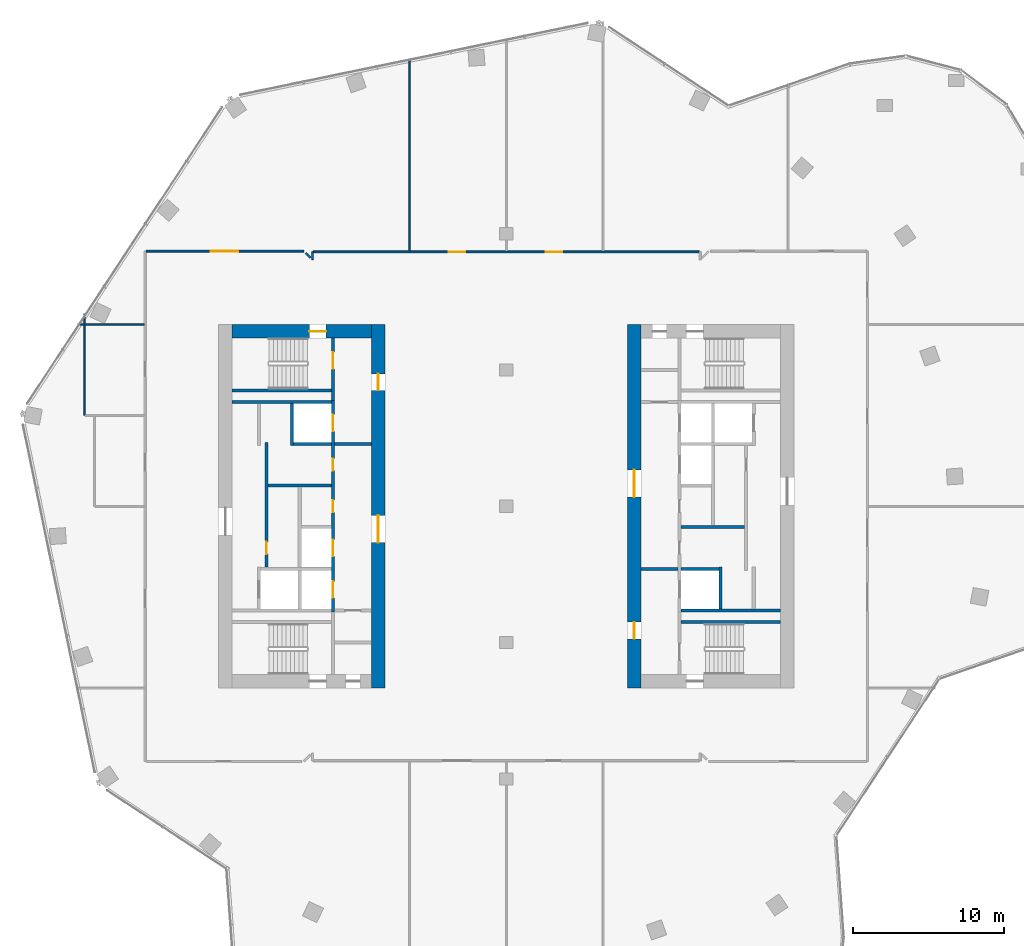
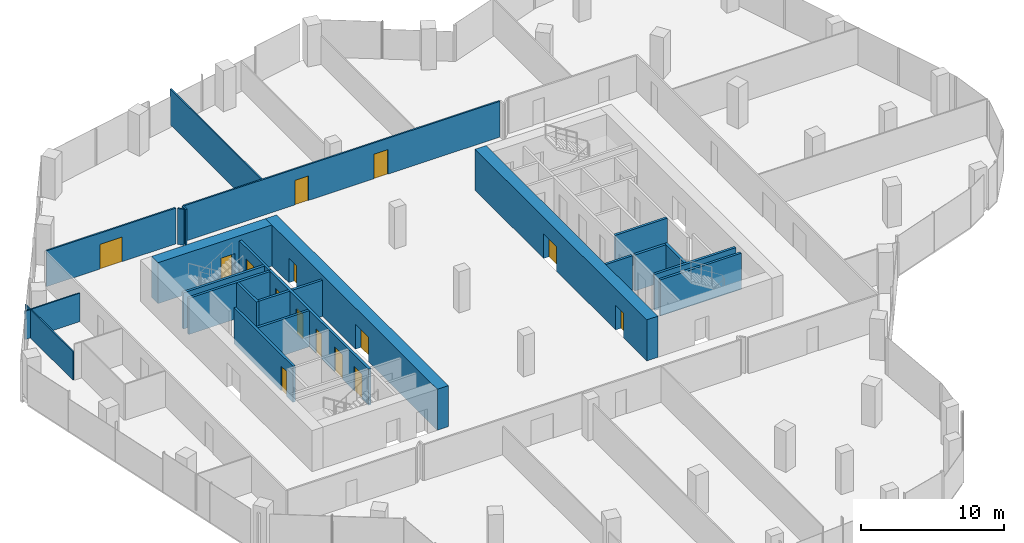
# One storey, part 19 of 24: 25 walls, 15 doors, 15 openings.
"""IFC4 building model written with IfcOpenShell, lengths in metres."""

from ifc_helpers import new_model, si_unit, direction, frame, frame_2d, origin, place, context, subcontext, project, spatial, rectangle, extrude, material, layer, layer_set, type_object, element, fill, save


model = new_model("IFC4")

# Units and contexts
model_context = context("Model", 3, precision=1e-05, world=origin(), true_north=direction((0.0, 1.0)))
body_context = subcontext(model_context, "Body", "Model", "MODEL_VIEW")
ifc_project = project(units=[si_unit("LENGTHUNIT", "METRE"), si_unit("AREAUNIT", "SQUARE_METRE"), si_unit("VOLUMEUNIT", "CUBIC_METRE"), si_unit("PLANEANGLEUNIT", "RADIAN"), si_unit("MASSUNIT", "GRAM", prefix="KILO")], contexts=[model_context])

# Site, building, storey
site_placement = place(None, origin())
site = spatial("IfcSite", under=ifc_project, at=site_placement, CompositionType="ELEMENT")
building_placement = place(site_placement, origin())
building = spatial("IfcBuilding", under=site, at=building_placement, Name="Orlundy Tower", CompositionType="ELEMENT")
storey_placement = place(building_placement, frame((0.0, 0.0, 246.0)))
storey = spatial("IfcBuildingStorey", under=building, at=storey_placement, Name="L65", CompositionType="ELEMENT", Elevation=246.0)

# Wall, opening, door
ifc_material_1 = material(Name="Concrete C60/75", Category="concrete")
ifc_layer_1 = layer(ifc_material_1, 0.89990234375)
ifc_layer_set_1 = layer_set([ifc_layer_1], Name="CORE WALL 900 C60/75")
wall_type_1 = type_object("IfcWallType", Name="CORE WALL 900 C60/75", PredefinedType="SHEAR", material=ifc_layer_set_1)
wall_1_placement = place(storey_placement, frame((-18.10009765625, 11.550048828125, 0.0), z_axis=(0.0, 0.0, 1.0), x_axis=(1.0, 0.0, 0.0)))
wall_1 = element("IfcWall", 1, at=wall_1_placement, inside=storey, type_object=wall_type_1, Name="Core wall W-N L65", PredefinedType="SHEAR", context=body_context, shape_type="SweptSolid", body=[
    extrude(rectangle(XDim=9.2001953125, YDim=0.89990234375, at=frame_2d((4.60009765625, 0.0))), origin(), (0.0, 0.0, 1.0), 3.5),
])
opening_1_placement = place(wall_1_placement, frame((5.10009765625, 0.0, 0.0)))
opening_1 = element("IfcOpeningElement", 2, at=opening_1_placement, cuts=wall_1, Name="Opening 49011", PredefinedType="OPENING", context=body_context, shape_type="SweptSolid", body=[
    extrude(rectangle(XDim=1.10009765625, YDim=2.10009765625, at=frame_2d((0.550048828125, 1.050048828125))), frame((0.0, 0.4599609375, 0.0), z_axis=(0.0, -1.0, 0.0), x_axis=(1.0, 0.0, 0.0)), (0.0, 0.0, 1.0), 0.919921875),
])
ifc_material_2 = material(Name="Steel door set", Category="steel")
door_type_1 = type_object("IfcDoorType", Name="Stair Door 1100x2100", OperationType="SINGLE_SWING_LEFT", PredefinedType="DOOR", material=ifc_material_2)
door_1_placement = place(opening_1_placement, origin())
door_1 = element("IfcDoor", 3, at=door_1_placement, inside=storey, type_object=door_type_1, Name="Stair door 49011", OperationType="SINGLE_SWING_RIGHT", OverallHeight=2.10009765625, OverallWidth=1.10009765625, PredefinedType="DOOR", context=body_context, shape_type="SweptSolid", body=[
    extrude(rectangle(XDim=1.10009765625, YDim=2.10009765625, at=frame_2d((0.550048828125, 1.050048828125))), frame((0.0, 0.02490234375, 0.0), z_axis=(0.0, -1.0, 0.0), x_axis=(1.0, 0.0, 0.0)), (0.0, 0.0, 1.0), 0.050048828125),
])
fill(opening_1, door_1)

# Wall, openings, doors
wall_2_placement = place(storey_placement, frame((-8.449951171875, -12.0, 0.0), z_axis=(0.0, 0.0, 1.0), x_axis=(0.0, 1.0, 0.0)))
wall_2 = element("IfcWall", 4, at=wall_2_placement, inside=storey, type_object=wall_type_1, Name="Core wall W-E L65", PredefinedType="SHEAR", context=body_context, shape_type="SweptSolid", body=[
    extrude(rectangle(XDim=24.0, YDim=0.89990234375, at=frame_2d((12.0, 0.0))), origin(), (0.0, 0.0, 1.0), 3.5),
])
opening_2_placement = place(wall_2_placement, frame((9.60009765625, 0.0, 0.0)))
opening_2 = element("IfcOpeningElement", 5, at=opening_2_placement, cuts=wall_2, Name="Opening 49008", PredefinedType="OPENING", context=body_context, shape_type="SweptSolid", body=[
    extrude(rectangle(XDim=1.800048828125, YDim=2.10009765625, at=frame_2d((0.89990234375, 1.050048828125))), frame((0.0, 0.4599609375, 0.0), z_axis=(0.0, -1.0, 0.0), x_axis=(1.0, 0.0, 0.0)), (0.0, 0.0, 1.0), 0.919921875),
])
opening_3_placement = place(wall_2_placement, frame((19.64990234375, 0.0, 0.0)))
opening_3 = element("IfcOpeningElement", 6, at=opening_3_placement, cuts=wall_2, Name="Opening 49010", PredefinedType="OPENING", context=body_context, shape_type="SweptSolid", body=[
    extrude(rectangle(XDim=1.10009765625, YDim=2.10009765625, at=frame_2d((0.550048828125, 1.050048828125))), frame((0.0, 0.4599609375, 0.0), z_axis=(0.0, -1.0, 0.0), x_axis=(1.0, 0.0, 0.0)), (0.0, 0.0, 1.0), 0.919921875),
])
ifc_material_3 = material(Name="Steel door set", Category="steel")
door_type_2 = type_object("IfcDoorType", Name="Fire-fighting Lobby Door 1100x2100", OperationType="SINGLE_SWING_LEFT", PredefinedType="DOOR", material=ifc_material_3)
door_2_placement = place(opening_3_placement, origin())
door_2 = element("IfcDoor", 7, at=door_2_placement, inside=storey, type_object=door_type_2, Name="Fire-fighting lobby door 49010", OperationType="SINGLE_SWING_RIGHT", OverallHeight=2.10009765625, OverallWidth=1.10009765625, PredefinedType="DOOR", context=body_context, shape_type="SweptSolid", body=[
    extrude(rectangle(XDim=1.10009765625, YDim=2.10009765625, at=frame_2d((0.550048828125, 1.050048828125))), frame((0.0, 0.02490234375, 0.0), z_axis=(0.0, -1.0, 0.0), x_axis=(1.0, 0.0, 0.0)), (0.0, 0.0, 1.0), 0.050048828125),
])
fill(opening_3, door_2)
ifc_material_4 = material(Name="Timber door set", Category="wood")
door_type_3 = type_object("IfcDoorType", Name="Lobby Door 1800x2100", OperationType="DOUBLE_DOOR_DOUBLE_SWING", PredefinedType="DOOR", material=ifc_material_4)
door_3_placement = place(opening_2_placement, origin())
door_3 = element("IfcDoor", 8, at=door_3_placement, inside=storey, type_object=door_type_3, Name="Lift lobby door 49008", OperationType="SINGLE_SWING_LEFT", OverallHeight=2.10009765625, OverallWidth=1.800048828125, PredefinedType="DOOR", context=body_context, shape_type="SweptSolid", body=[
    extrude(rectangle(XDim=1.800048828125, YDim=2.10009765625, at=frame_2d((0.89990234375, 1.050048828125))), frame((0.0, 0.02490234375, 0.0), z_axis=(0.0, -1.0, 0.0), x_axis=(1.0, 0.0, 0.0)), (0.0, 0.0, 1.0), 0.050048828125),
])
fill(opening_2, door_3)

wall_3_placement = place(storey_placement, frame((8.449951171875, -12.0, 0.0), z_axis=(0.0, 0.0, 1.0), x_axis=(0.0, 1.0, 0.0)))
wall_3 = element("IfcWall", 9, at=wall_3_placement, inside=storey, type_object=wall_type_1, Name="Core wall E-W L65", PredefinedType="SHEAR", context=body_context, shape_type="SweptSolid", body=[
    extrude(rectangle(XDim=24.0, YDim=0.89990234375, at=frame_2d((12.0, 0.0))), origin(), (0.0, 0.0, 1.0), 3.5),
])
opening_4_placement = place(wall_3_placement, frame((12.60009765625, 0.0, 0.0)))
opening_4 = element("IfcOpeningElement", 10, at=opening_4_placement, cuts=wall_3, Name="Opening 49057", PredefinedType="OPENING", context=body_context, shape_type="SweptSolid", body=[
    extrude(rectangle(XDim=1.800048828125, YDim=2.10009765625, at=frame_2d((0.89990234375, 1.050048828125))), frame((0.0, 0.4599609375, 0.0), z_axis=(0.0, -1.0, 0.0), x_axis=(1.0, 0.0, 0.0)), (0.0, 0.0, 1.0), 0.919921875),
])
opening_5_placement = place(wall_3_placement, frame((3.25, 0.0, 0.0)))
opening_5 = element("IfcOpeningElement", 11, at=opening_5_placement, cuts=wall_3, Name="Opening 49059", PredefinedType="OPENING", context=body_context, shape_type="SweptSolid", body=[
    extrude(rectangle(XDim=1.10009765625, YDim=2.10009765625, at=frame_2d((0.550048828125, 1.050048828125))), frame((0.0, 0.4599609375, 0.0), z_axis=(0.0, -1.0, 0.0), x_axis=(1.0, 0.0, 0.0)), (0.0, 0.0, 1.0), 0.919921875),
])
door_4_placement = place(opening_5_placement, origin())
door_4 = element("IfcDoor", 12, at=door_4_placement, inside=storey, type_object=door_type_2, Name="Fire-fighting lobby door 49059", OperationType="SINGLE_SWING_LEFT", OverallHeight=2.10009765625, OverallWidth=1.10009765625, PredefinedType="DOOR", context=body_context, shape_type="SweptSolid", body=[
    extrude(rectangle(XDim=1.10009765625, YDim=2.10009765625, at=frame_2d((0.550048828125, 1.050048828125))), frame((0.0, 0.02490234375, 0.0), z_axis=(0.0, -1.0, 0.0), x_axis=(1.0, 0.0, 0.0)), (0.0, 0.0, 1.0), 0.050048828125),
])
fill(opening_5, door_4)
door_5_placement = place(opening_4_placement, origin())
door_5 = element("IfcDoor", 13, at=door_5_placement, inside=storey, type_object=door_type_3, Name="Lift lobby door 49057", OperationType="SINGLE_SWING_RIGHT", OverallHeight=2.10009765625, OverallWidth=1.800048828125, PredefinedType="DOOR", context=body_context, shape_type="SweptSolid", body=[
    extrude(rectangle(XDim=1.800048828125, YDim=2.10009765625, at=frame_2d((0.89990234375, 1.050048828125))), frame((0.0, 0.02490234375, 0.0), z_axis=(0.0, -1.0, 0.0), x_axis=(1.0, 0.0, 0.0)), (0.0, 0.0, 1.0), 0.050048828125),
])
fill(opening_4, door_5)

# Walls
ifc_material_5 = material(Name="Gypsum board partition")
ifc_layer_2 = layer(ifc_material_5, 0.10009765625)
ifc_layer_set_2 = layer_set([ifc_layer_2], Name="Floor partition 100")
wall_type_2 = type_object("IfcWallType", Name="Floor partition 100", PredefinedType="PARTITIONING", material=ifc_layer_set_2)
wall_4_placement = place(storey_placement, frame((-6.39892578125, 16.863037109375, 0.0), z_axis=(0.0, 0.0, 1.0), x_axis=(0.0, 1.0, 0.0)))
element("IfcWall", 14, at=wall_4_placement, inside=storey, type_object=wall_type_2, Name="wall-int-L65-027", PredefinedType="PARTITIONING", context=body_context, shape_type="SweptSolid", body=[
    extrude(rectangle(XDim=12.703857421875, YDim=0.10009765625, at=frame_2d((6.35205078125, 0.0))), origin(), (0.0, 0.0, 1.0), 3.06005859375),
])
ifc_material_6 = material(Name="Gypsum board partition")
ifc_layer_3 = layer(ifc_material_6, 0.10009765625)
ifc_layer_set_3 = layer_set([ifc_layer_3], Name="Floor partition 100 B")
wall_type_3 = type_object("IfcWallType", Name="Floor partition 100 B", PredefinedType="PARTITIONING", material=ifc_layer_set_3)
wall_5_placement = place(storey_placement, frame((-28.31396484375, 12.0, 0.0), z_axis=(0.0, 0.0, 1.0), x_axis=(1.0, 0.0, 0.0)))
element("IfcWall", 15, at=wall_5_placement, inside=storey, type_object=wall_type_3, Name="wall-int-L65-011", PredefinedType="PARTITIONING", context=body_context, shape_type="SweptSolid", body=[
    extrude(rectangle(XDim=4.40087890625, YDim=0.10009765625, at=frame_2d((2.200439453125, 0.0))), origin(), (0.0, 0.0, 1.0), 2.425048828125),
])
wall_6_placement = place(storey_placement, frame((-27.847900390625, 6.0009765625, 0.0), z_axis=(0.0, 0.0, 1.0), x_axis=(0.0, 1.0, 0.0)))
element("IfcWall", 16, at=wall_6_placement, inside=storey, type_object=wall_type_3, Name="wall-int-L65-032", PredefinedType="PARTITIONING", context=body_context, shape_type="SweptSolid", body=[
    extrude(rectangle(XDim=6.70703125, YDim=0.10009765625, at=frame_2d((3.353515625, 0.0))), origin(), (0.0, 0.0, 1.0), 2.425048828125),
])
ifc_material_7 = material(Name="Gypsum board partition, double layer")
ifc_layer_4 = layer(ifc_material_7, 0.125)
ifc_layer_set_4 = layer_set([ifc_layer_4], Name="Floor partition 125")
wall_type_4 = type_object("IfcWallType", Name="Floor partition 125", PredefinedType="PARTITIONING", material=ifc_layer_set_4)
wall_7_placement = place(storey_placement, frame((-13.24609375, 16.72412109375, 0.0), z_axis=(0.0, 0.0, 1.0), x_axis=(0.707106781187, -0.707106781187, 0.0)))
element("IfcWall", 17, at=wall_7_placement, inside=storey, type_object=wall_type_4, Name="wall-int-L65-002", PredefinedType="PARTITIONING", context=body_context, shape_type="SweptSolid", body=[
    extrude(rectangle(XDim=0.448486328125, YDim=0.125, at=frame_2d((0.22412109375, 0.0))), origin(), (0.0, 0.0, 1.0), 3.06005859375),
])

# Wall, openings, doors
wall_8_placement = place(storey_placement, frame((-12.738037109375, 16.801025390625, 0.0), z_axis=(0.0, 0.0, 1.0), x_axis=(1.0, 0.0, 0.0)))
wall_8 = element("IfcWall", 18, at=wall_8_placement, inside=storey, type_object=wall_type_4, Name="wall-int-L65-013", PredefinedType="PARTITIONING", context=body_context, shape_type="SweptSolid", body=[
    extrude(rectangle(XDim=25.47607421875, YDim=0.125, at=frame_2d((12.738037109375, 0.0))), origin(), (0.0, 0.0, 1.0), 3.06005859375),
])
opening_6_placement = place(wall_8_placement, frame((15.33740234375, 0.0, 0.0)))
opening_6 = element("IfcOpeningElement", 19, at=opening_6_placement, cuts=wall_8, Name="Opening 49110", PredefinedType="OPENING", context=body_context, shape_type="SweptSolid", body=[
    extrude(rectangle(XDim=1.10009765625, YDim=2.10009765625, at=frame_2d((0.550048828125, 1.050048828125))), frame((0.0, 0.072509765625, 0.0), z_axis=(0.0, -1.0, 0.0), x_axis=(1.0, 0.0, 0.0)), (0.0, 0.0, 1.0), 0.14501953125),
])
opening_7_placement = place(wall_8_placement, frame((8.9384765625, 0.0, 0.0)))
opening_7 = element("IfcOpeningElement", 20, at=opening_7_placement, cuts=wall_8, Name="Opening 49111", PredefinedType="OPENING", context=body_context, shape_type="SweptSolid", body=[
    extrude(rectangle(XDim=1.10009765625, YDim=2.10009765625, at=frame_2d((0.550048828125, 1.050048828125))), frame((0.0, 0.072509765625, 0.0), z_axis=(0.0, -1.0, 0.0), x_axis=(1.0, 0.0, 0.0)), (0.0, 0.0, 1.0), 0.14501953125),
])
ifc_material_8 = material(Name="Timber door leaf", Category="wood")
door_type_4 = type_object("IfcDoorType", Name="Floor door xwide 1100 FD30S", OperationType="NOTDEFINED", PredefinedType="DOOR", material=ifc_material_8)
door_6_placement = place(opening_6_placement, origin())
door_6 = element("IfcDoor", 21, at=door_6_placement, inside=storey, type_object=door_type_4, Name="Door 49110", OperationType="SINGLE_SWING_RIGHT", OverallHeight=2.10009765625, OverallWidth=1.10009765625, PredefinedType="DOOR", context=body_context, shape_type="SweptSolid", body=[
    extrude(rectangle(XDim=1.10009765625, YDim=2.10009765625, at=frame_2d((0.550048828125, 1.050048828125))), frame((0.0, 0.02490234375, 0.0), z_axis=(0.0, -1.0, 0.0), x_axis=(1.0, 0.0, 0.0)), (0.0, 0.0, 1.0), 0.050048828125),
])
fill(opening_6, door_6)
door_7_placement = place(opening_7_placement, origin())
door_7 = element("IfcDoor", 22, at=door_7_placement, inside=storey, type_object=door_type_4, Name="Door 49111", OperationType="SINGLE_SWING_LEFT", OverallHeight=2.10009765625, OverallWidth=1.10009765625, PredefinedType="DOOR", context=body_context, shape_type="SweptSolid", body=[
    extrude(rectangle(XDim=1.10009765625, YDim=2.10009765625, at=frame_2d((0.550048828125, 1.050048828125))), frame((0.0, 0.02490234375, 0.0), z_axis=(0.0, -1.0, 0.0), x_axis=(1.0, 0.0, 0.0)), (0.0, 0.0, 1.0), 0.050048828125),
])
fill(opening_7, door_7)

# Wall, opening, door
wall_9_placement = place(storey_placement, frame((-23.7880859375, 16.85107421875, 0.0), z_axis=(0.0, 0.0, 1.0), x_axis=(1.0, 0.0, 0.0)))
wall_9 = element("IfcWall", 23, at=wall_9_placement, inside=storey, type_object=wall_type_4, Name="wall-int-L65-014", PredefinedType="PARTITIONING", context=body_context, shape_type="SweptSolid", body=[
    extrude(rectangle(XDim=10.427978515625, YDim=0.125, at=frame_2d((5.2138671875, 0.0))), origin(), (0.0, 0.0, 1.0), 3.06005859375),
])
opening_8_placement = place(wall_9_placement, frame((4.28759765625, 0.0, 0.0)))
opening_8 = element("IfcOpeningElement", 24, at=opening_8_placement, cuts=wall_9, Name="Opening 49112", PredefinedType="OPENING", context=body_context, shape_type="SweptSolid", body=[
    extrude(rectangle(XDim=1.800048828125, YDim=2.10009765625, at=frame_2d((0.89990234375, 1.050048828125))), frame((0.0, 0.072509765625, 0.0), z_axis=(0.0, -1.0, 0.0), x_axis=(1.0, 0.0, 0.0)), (0.0, 0.0, 1.0), 0.14501953125),
])
ifc_material_9 = material(Name="Timber door leaf", Category="wood")
door_type_5 = type_object("IfcDoorType", Name="Floor door double 1800 FD30S", OperationType="NOTDEFINED", PredefinedType="DOOR", material=ifc_material_9)
door_8_placement = place(opening_8_placement, origin())
door_8 = element("IfcDoor", 25, at=door_8_placement, inside=storey, type_object=door_type_5, Name="Door 49112", OperationType="DOUBLE_DOOR_SINGLE_SWING", OverallHeight=2.10009765625, OverallWidth=1.800048828125, PredefinedType="DOOR", context=body_context, shape_type="SweptSolid", body=[
    extrude(rectangle(XDim=1.800048828125, YDim=2.10009765625, at=frame_2d((0.89990234375, 1.050048828125))), frame((0.0, 0.02490234375, 0.0), z_axis=(0.0, -1.0, 0.0), x_axis=(1.0, 0.0, 0.0)), (0.0, 0.0, 1.0), 0.050048828125),
])
fill(opening_8, door_8)

# Wall
wall_10_placement = place(storey_placement, frame((-12.801025390625, 16.2919921875, 0.0), z_axis=(0.0, 0.0, 1.0), x_axis=(0.0, 1.0, 0.0)))
element("IfcWall", 26, at=wall_10_placement, inside=storey, type_object=wall_type_4, Name="wall-int-L65-029", PredefinedType="PARTITIONING", context=body_context, shape_type="SweptSolid", body=[
    extrude(rectangle(XDim=0.508056640625, YDim=0.125, at=frame_2d((0.25390625, 0.0))), origin(), (0.0, 0.0, 1.0), 3.06005859375),
])

# Wall, opening, door
ifc_material_10 = material(Name="Concrete C40/50", Category="concrete")
ifc_layer_5 = layer(ifc_material_10, 0.199951171875)
ifc_layer_set_5 = layer_set([ifc_layer_5], Name="Load-bearing Shaft Wall 200")
wall_type_5 = type_object("IfcWallType", Name="Load-bearing Shaft Wall 200", PredefinedType="SOLIDWALL", material=ifc_layer_set_5)
wall_11_placement = place(storey_placement, frame((-11.43994140625, 6.97509765625, 0.0), z_axis=(0.0, 0.0, 1.0), x_axis=(0.0, 1.0, 0.0)))
wall_11 = element("IfcWall", 27, at=wall_11_placement, inside=storey, type_object=wall_type_5, Name="Shaft wall W49-stair-end-n", PredefinedType="SOLIDWALL", context=body_context, shape_type="SweptSolid", body=[
    extrude(rectangle(XDim=4.125, YDim=0.199951171875, at=frame_2d((2.0625, 0.0))), origin(), (0.0, 0.0, 1.0), 3.080078125),
])
opening_9_placement = place(wall_11_placement, frame((2.10009765625, 0.0, 0.0)))
opening_9 = element("IfcOpeningElement", 28, at=opening_9_placement, cuts=wall_11, Name="Opening 49013", PredefinedType="OPENING", context=body_context, shape_type="SweptSolid", body=[
    extrude(rectangle(XDim=1.10009765625, YDim=2.10009765625, at=frame_2d((0.550048828125, 1.050048828125))), frame((0.0, 0.110107421875, 0.0), z_axis=(0.0, -1.0, 0.0), x_axis=(1.0, 0.0, 0.0)), (0.0, 0.0, 1.0), 0.22021484375),
])
door_9_placement = place(opening_9_placement, origin())
door_9 = element("IfcDoor", 29, at=door_9_placement, inside=storey, type_object=door_type_2, Name="Fire-fighting lobby to stair door 49013", OperationType="SINGLE_SWING_RIGHT", OverallHeight=2.10009765625, OverallWidth=1.10009765625, PredefinedType="DOOR", context=body_context, shape_type="SweptSolid", body=[
    extrude(rectangle(XDim=1.10009765625, YDim=2.10009765625, at=frame_2d((0.550048828125, 1.050048828125))), frame((0.0, 0.02490234375, 0.0), z_axis=(0.0, -1.0, 0.0), x_axis=(1.0, 0.0, 0.0)), (0.0, 0.0, 1.0), 0.050048828125),
])
fill(opening_9, door_9)

# Walls
for number, where, z_axis, x_axis, name in (
    (30, (-11.5400390625, 7.64990234375, 0.0), (0.0, 0.0, 1.0), (-1.0, 0.0, 0.0), "Shaft wall W49-stair-side-n"),
    (31, (11.5400390625, -7.64990234375, 0.0), (0.0, 0.0, 1.0), (1.0, 0.0, 0.0), "Shaft wall E49-stair-side-n"),
):
    element("IfcWall", number, at=place(storey_placement, frame(where, z_axis=z_axis, x_axis=x_axis)), inside=storey, type_object=wall_type_5, Name=name, PredefinedType="SOLIDWALL", context=body_context, shape_type="SweptSolid", body=[
        extrude(rectangle(XDim=6.56005859375, YDim=0.199951171875, at=frame_2d((3.280029296875, 0.0))), origin(), (0.0, 0.0, 1.0), 3.080078125),
    ])
ifc_material_11 = material(Name="Gypsum board partition on steel studs", Category="steel")
ifc_layer_6 = layer(ifc_material_11, 0.199951171875)
ifc_layer_set_6 = layer_set([ifc_layer_6], Name="Partition 200")
wall_type_6 = type_object("IfcWallType", Name="Partition 200", PredefinedType="PARTITIONING", material=ifc_layer_set_6)
for number, where, z_axis, x_axis, name in (
    (32, (-8.89990234375, 4.125, 0.0), (0.0, 0.0, 1.0), (-1.0, 0.0, 0.0), "Partition wall W49-lobby-n"),
    (33, (8.89990234375, -4.125, 0.0), (0.0, 0.0, 1.0), (1.0, 0.0, 0.0), "Partition wall E49-lobby-n"),
):
    element("IfcWall", number, at=place(storey_placement, frame(where, z_axis=z_axis, x_axis=x_axis)), inside=storey, type_object=wall_type_6, Name=name, PredefinedType="PARTITIONING", context=body_context, shape_type="SweptSolid", body=[
        extrude(rectangle(XDim=2.440185546875, YDim=0.199951171875, at=frame_2d((1.22021484375, 0.0))), origin(), (0.0, 0.0, 1.0), 3.080078125),
    ])
ifc_material_12 = material(Name="Fire-rated blockwork shaft wall", Category="masonry")
ifc_layer_7 = layer(ifc_material_12, 0.199951171875)
ifc_layer_set_7 = layer_set([ifc_layer_7], Name="Shaft Wall 200")
wall_type_7 = type_object("IfcWallType", Name="Shaft Wall 200", PredefinedType="SOLIDWALL", material=ifc_layer_set_7)
wall_12_placement = place(storey_placement, frame((-11.5400390625, 6.875, 0.0), z_axis=(0.0, 0.0, 1.0), x_axis=(-1.0, 0.0, 0.0)))
element("IfcWall", 34, at=wall_12_placement, inside=storey, type_object=wall_type_7, Name="Shaft wall W49-zone-n", PredefinedType="SOLIDWALL", context=body_context, shape_type="SweptSolid", body=[
    extrude(rectangle(XDim=6.56005859375, YDim=0.199951171875, at=frame_2d((3.280029296875, 0.0))), origin(), (0.0, 0.0, 1.0), 3.080078125),
])
wall_13_placement = place(storey_placement, frame((-11.5400390625, 1.375, 0.0), z_axis=(0.0, 0.0, 1.0), x_axis=(-1.0, 0.0, 0.0)))
element("IfcWall", 35, at=wall_13_placement, inside=storey, type_object=wall_type_7, Name="Shaft wall W49-cross+1.375", PredefinedType="SOLIDWALL", context=body_context, shape_type="SweptSolid", body=[
    extrude(rectangle(XDim=4.199951171875, YDim=0.199951171875, at=frame_2d((2.10009765625, 0.0))), origin(), (0.0, 0.0, 1.0), 3.080078125),
])
wall_14_placement = place(storey_placement, frame((-11.5400390625, 4.125, 0.0), z_axis=(0.0, 0.0, 1.0), x_axis=(-1.0, 0.0, 0.0)))
element("IfcWall", 36, at=wall_14_placement, inside=storey, type_object=wall_type_7, Name="Shaft wall W49-cross+4.125", PredefinedType="SOLIDWALL", context=body_context, shape_type="SweptSolid", body=[
    extrude(rectangle(XDim=2.5, YDim=0.199951171875, at=frame_2d((1.25, 0.0))), origin(), (0.0, 0.0, 1.0), 3.080078125),
])

# Wall, openings, doors
wall_15_placement = place(storey_placement, frame((-11.43994140625, -6.97509765625, 0.0), z_axis=(0.0, 0.0, 1.0), x_axis=(0.0, 1.0, 0.0)))
wall_15 = element("IfcWall", 37, at=wall_15_placement, inside=storey, type_object=wall_type_7, Name="Shaft wall W49-front-h", PredefinedType="SOLIDWALL", context=body_context, shape_type="SweptSolid", body=[
    extrude(rectangle(XDim=13.9501953125, YDim=0.199951171875, at=frame_2d((6.97509765625, 0.0))), origin(), (0.0, 0.0, 1.0), 3.080078125),
])
opening_10_placement = place(wall_15_placement, frame((0.925048828125, 0.0, 0.0)))
opening_10 = element("IfcOpeningElement", 38, at=opening_10_placement, cuts=wall_15, Name="Opening 49001", PredefinedType="OPENING", context=body_context, shape_type="SweptSolid", body=[
    extrude(rectangle(XDim=1.10009765625, YDim=2.10009765625, at=frame_2d((0.550048828125, 1.050048828125))), frame((0.0, 0.110107421875, 0.0), z_axis=(0.0, -1.0, 0.0), x_axis=(1.0, 0.0, 0.0)), (0.0, 0.0, 1.0), 0.22021484375),
])
opening_11_placement = place(wall_15_placement, frame((3.675048828125, 0.0, 0.0)))
opening_11 = element("IfcOpeningElement", 39, at=opening_11_placement, cuts=wall_15, Name="Opening 49003", PredefinedType="OPENING", context=body_context, shape_type="SweptSolid", body=[
    extrude(rectangle(XDim=1.10009765625, YDim=2.10009765625, at=frame_2d((0.550048828125, 1.050048828125))), frame((0.0, 0.110107421875, 0.0), z_axis=(0.0, -1.0, 0.0), x_axis=(1.0, 0.0, 0.0)), (0.0, 0.0, 1.0), 0.22021484375),
])
opening_12_placement = place(wall_15_placement, frame((11.925048828125, 0.0, 0.0)))
opening_12 = element("IfcOpeningElement", 40, at=opening_12_placement, cuts=wall_15, Name="Opening 49004", PredefinedType="OPENING", context=body_context, shape_type="SweptSolid", body=[
    extrude(rectangle(XDim=1.10009765625, YDim=2.10009765625, at=frame_2d((0.550048828125, 1.050048828125))), frame((0.0, 0.110107421875, 0.0), z_axis=(0.0, -1.0, 0.0), x_axis=(1.0, 0.0, 0.0)), (0.0, 0.0, 1.0), 0.22021484375),
])
opening_13_placement = place(wall_15_placement, frame((6.574951171875, 0.0, 0.0)))
opening_13 = element("IfcOpeningElement", 41, at=opening_13_placement, cuts=wall_15, Name="Opening 49006", PredefinedType="OPENING", context=body_context, shape_type="SweptSolid", body=[
    extrude(rectangle(XDim=0.800048828125, YDim=2.10009765625, at=frame_2d((0.39990234375, 1.050048828125))), frame((0.0, 0.110107421875, 0.0), z_axis=(0.0, -1.0, 0.0), x_axis=(1.0, 0.0, 0.0)), (0.0, 0.0, 1.0), 0.22021484375),
])
opening_14_placement = place(wall_15_placement, frame((9.324951171875, 0.0, 0.0)))
opening_14 = element("IfcOpeningElement", 42, at=opening_14_placement, cuts=wall_15, Name="Opening 49007", PredefinedType="OPENING", context=body_context, shape_type="SweptSolid", body=[
    extrude(rectangle(XDim=0.800048828125, YDim=2.10009765625, at=frame_2d((0.39990234375, 1.050048828125))), frame((0.0, 0.110107421875, 0.0), z_axis=(0.0, -1.0, 0.0), x_axis=(1.0, 0.0, 0.0)), (0.0, 0.0, 1.0), 0.22021484375),
])
ifc_material_13 = material(Name="Steel door set", Category="steel")
door_type_6 = type_object("IfcDoorType", Name="Landing Door 1100x2100", OperationType="DOUBLE_DOOR_SLIDING", PredefinedType="DOOR", material=ifc_material_13)
door_10_placement = place(opening_10_placement, origin())
door_10 = element("IfcDoor", 43, at=door_10_placement, inside=storey, type_object=door_type_6, Name="Lift landing door LP-22 49001", OperationType="DOUBLE_DOOR_SLIDING", OverallHeight=2.10009765625, OverallWidth=1.10009765625, PredefinedType="DOOR", context=body_context, shape_type="SweptSolid", body=[
    extrude(rectangle(XDim=1.10009765625, YDim=2.10009765625, at=frame_2d((0.550048828125, 1.050048828125))), frame((0.0, 0.02490234375, 0.0), z_axis=(0.0, -1.0, 0.0), x_axis=(1.0, 0.0, 0.0)), (0.0, 0.0, 1.0), 0.050048828125),
])
fill(opening_10, door_10)
door_11_placement = place(opening_11_placement, origin())
door_11 = element("IfcDoor", 44, at=door_11_placement, inside=storey, type_object=door_type_6, Name="Lift landing door LP-21 49003", OperationType="DOUBLE_DOOR_SLIDING", OverallHeight=2.10009765625, OverallWidth=1.10009765625, PredefinedType="DOOR", context=body_context, shape_type="SweptSolid", body=[
    extrude(rectangle(XDim=1.10009765625, YDim=2.10009765625, at=frame_2d((0.550048828125, 1.050048828125))), frame((0.0, 0.02490234375, 0.0), z_axis=(0.0, -1.0, 0.0), x_axis=(1.0, 0.0, 0.0)), (0.0, 0.0, 1.0), 0.050048828125),
])
fill(opening_11, door_11)
door_12_placement = place(opening_12_placement, origin())
door_12 = element("IfcDoor", 45, at=door_12_placement, inside=storey, type_object=door_type_6, Name="Lift landing door FL1 49004", OperationType="DOUBLE_DOOR_SLIDING", OverallHeight=2.10009765625, OverallWidth=1.10009765625, PredefinedType="DOOR", context=body_context, shape_type="SweptSolid", body=[
    extrude(rectangle(XDim=1.10009765625, YDim=2.10009765625, at=frame_2d((0.550048828125, 1.050048828125))), frame((0.0, 0.02490234375, 0.0), z_axis=(0.0, -1.0, 0.0), x_axis=(1.0, 0.0, 0.0)), (0.0, 0.0, 1.0), 0.050048828125),
])
fill(opening_12, door_12)
ifc_material_14 = material(Name="Timber door set", Category="wood")
door_type_7 = type_object("IfcDoorType", Name="Riser Door 800x2100", OperationType="SINGLE_SWING_LEFT", PredefinedType="DOOR", material=ifc_material_14)
door_13_placement = place(opening_13_placement, origin())
door_13 = element("IfcDoor", 46, at=door_13_placement, inside=storey, type_object=door_type_7, Name="Coat Store door 49006", OperationType="SINGLE_SWING_LEFT", OverallHeight=2.10009765625, OverallWidth=0.800048828125, PredefinedType="DOOR", context=body_context, shape_type="SweptSolid", body=[
    extrude(rectangle(XDim=0.800048828125, YDim=2.10009765625, at=frame_2d((0.39990234375, 1.050048828125))), frame((0.0, 0.02490234375, 0.0), z_axis=(0.0, -1.0, 0.0), x_axis=(1.0, 0.0, 0.0)), (0.0, 0.0, 1.0), 0.050048828125),
])
fill(opening_13, door_13)
door_14_placement = place(opening_14_placement, origin())
door_14 = element("IfcDoor", 47, at=door_14_placement, inside=storey, type_object=door_type_7, Name="Parcel Store door 49007", OperationType="SINGLE_SWING_LEFT", OverallHeight=2.10009765625, OverallWidth=0.800048828125, PredefinedType="DOOR", context=body_context, shape_type="SweptSolid", body=[
    extrude(rectangle(XDim=0.800048828125, YDim=2.10009765625, at=frame_2d((0.39990234375, 1.050048828125))), frame((0.0, 0.02490234375, 0.0), z_axis=(0.0, -1.0, 0.0), x_axis=(1.0, 0.0, 0.0)), (0.0, 0.0, 1.0), 0.050048828125),
])
fill(opening_14, door_14)

# Wall
wall_16_placement = place(storey_placement, frame((-14.139892578125, 4.02490234375, 0.0), z_axis=(0.0, 0.0, 1.0), x_axis=(0.0, 1.0, 0.0)))
element("IfcWall", 48, at=wall_16_placement, inside=storey, type_object=wall_type_7, Name="Shaft wall W49-mid-b", PredefinedType="SOLIDWALL", context=body_context, shape_type="SweptSolid", body=[
    extrude(rectangle(XDim=2.75, YDim=0.199951171875, at=frame_2d((1.375, 0.0))), origin(), (0.0, 0.0, 1.0), 3.080078125),
])

# Wall, opening, door
wall_17_placement = place(storey_placement, frame((-15.840087890625, -4.02490234375, 0.0), z_axis=(0.0, 0.0, 1.0), x_axis=(0.0, 1.0, 0.0)))
wall_17 = element("IfcWall", 49, at=wall_17_placement, inside=storey, type_object=wall_type_7, Name="Shaft wall W49-front-o-b", PredefinedType="SOLIDWALL", context=body_context, shape_type="SweptSolid", body=[
    extrude(rectangle(XDim=8.25, YDim=0.199951171875, at=frame_2d((4.125, 0.0))), origin(), (0.0, 0.0, 1.0), 3.080078125),
])
opening_15_placement = place(wall_17_placement, frame((0.875, 0.0, 0.0)))
opening_15 = element("IfcOpeningElement", 50, at=opening_15_placement, cuts=wall_17, Name="Opening 49005", PredefinedType="OPENING", context=body_context, shape_type="SweptSolid", body=[
    extrude(rectangle(XDim=0.800048828125, YDim=2.10009765625, at=frame_2d((0.39990234375, 1.050048828125))), frame((0.0, 0.110107421875, 0.0), z_axis=(0.0, -1.0, 0.0), x_axis=(1.0, 0.0, 0.0)), (0.0, 0.0, 1.0), 0.22021484375),
])
door_15_placement = place(opening_15_placement, origin())
door_15 = element("IfcDoor", 51, at=door_15_placement, inside=storey, type_object=door_type_7, Name="Printer Paper Store door 49005", OperationType="SINGLE_SWING_LEFT", OverallHeight=2.10009765625, OverallWidth=0.800048828125, PredefinedType="DOOR", context=body_context, shape_type="SweptSolid", body=[
    extrude(rectangle(XDim=0.800048828125, YDim=2.10009765625, at=frame_2d((0.39990234375, 1.050048828125))), frame((0.0, 0.02490234375, 0.0), z_axis=(0.0, -1.0, 0.0), x_axis=(1.0, 0.0, 0.0)), (0.0, 0.0, 1.0), 0.050048828125),
])
fill(opening_15, door_15)

# Walls
wall_18_placement = place(storey_placement, frame((11.5400390625, -6.875, 0.0), z_axis=(0.0, 0.0, 1.0), x_axis=(1.0, 0.0, 0.0)))
element("IfcWall", 52, at=wall_18_placement, inside=storey, type_object=wall_type_7, Name="Shaft wall E49-zone-n", PredefinedType="SOLIDWALL", context=body_context, shape_type="SweptSolid", body=[
    extrude(rectangle(XDim=6.56005859375, YDim=0.199951171875, at=frame_2d((3.280029296875, 0.0))), origin(), (0.0, 0.0, 1.0), 3.080078125),
])
wall_19_placement = place(storey_placement, frame((11.5400390625, -1.375, 0.0), z_axis=(0.0, 0.0, 1.0), x_axis=(1.0, 0.0, 0.0)))
element("IfcWall", 53, at=wall_19_placement, inside=storey, type_object=wall_type_7, Name="Shaft wall E49-cross+1.375", PredefinedType="SOLIDWALL", context=body_context, shape_type="SweptSolid", body=[
    extrude(rectangle(XDim=4.199951171875, YDim=0.199951171875, at=frame_2d((2.10009765625, 0.0))), origin(), (0.0, 0.0, 1.0), 3.080078125),
])
wall_20_placement = place(storey_placement, frame((11.5400390625, -4.125, 0.0), z_axis=(0.0, 0.0, 1.0), x_axis=(1.0, 0.0, 0.0)))
element("IfcWall", 54, at=wall_20_placement, inside=storey, type_object=wall_type_7, Name="Shaft wall E49-cross+4.125", PredefinedType="SOLIDWALL", context=body_context, shape_type="SweptSolid", body=[
    extrude(rectangle(XDim=2.5, YDim=0.199951171875, at=frame_2d((1.25, 0.0))), origin(), (0.0, 0.0, 1.0), 3.080078125),
])
wall_21_placement = place(storey_placement, frame((14.139892578125, -4.02490234375, 0.0), z_axis=(0.0, 0.0, 1.0), x_axis=(0.0, -1.0, 0.0)))
element("IfcWall", 55, at=wall_21_placement, inside=storey, type_object=wall_type_7, Name="Shaft wall E49-mid-b", PredefinedType="SOLIDWALL", context=body_context, shape_type="SweptSolid", body=[
    extrude(rectangle(XDim=2.75, YDim=0.199951171875, at=frame_2d((1.375, 0.0))), origin(), (0.0, 0.0, 1.0), 3.080078125),
])

save(model, "model.ifc")
